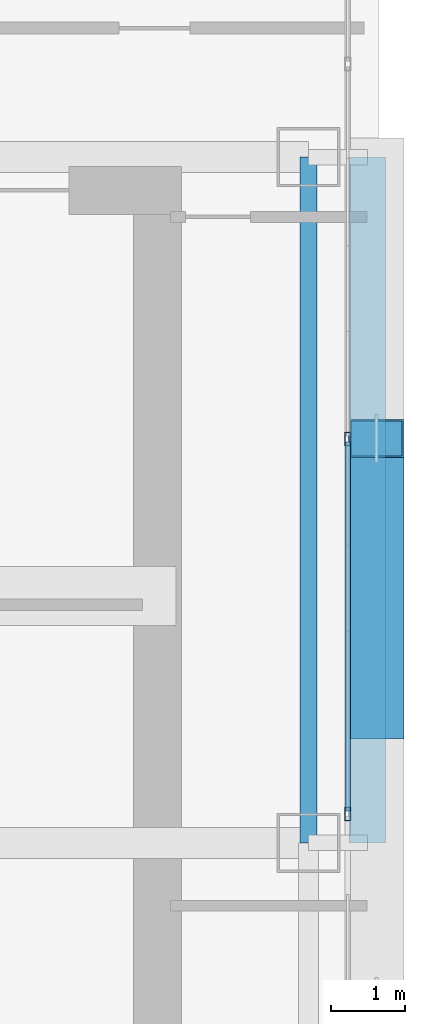
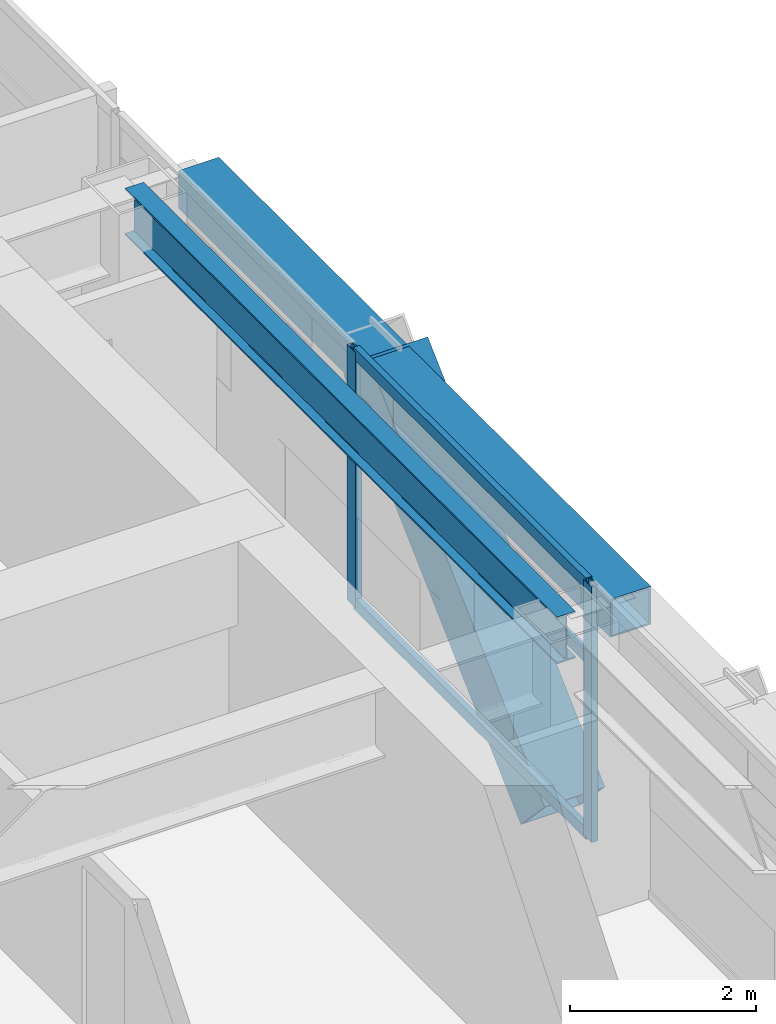
# One storey, part 15 of 36: 6 members, 2 beams, 1 element without a shape of its own.
"""IFC4 building model written with IfcOpenShell, lengths in metres."""

from ifc_helpers import new_model, si_unit, direction, frame, origin, origin_2d, place, context, subcontext, project, spatial, hollow_rectangle, i_section, extrude, source, transform, mapped, material, layer, layer_set, material_profile, profile_set, type_object, element, aggregate, save


model = new_model("IFC4")

# Units and contexts
model_context = context("Model", 3, precision=1e-05, world=origin(), true_north=direction((0.0, 1.0)))
body_context = subcontext(model_context, "Body", "Model", "MODEL_VIEW")
ifc_project = project(units=[si_unit("LENGTHUNIT", "METRE"), si_unit("AREAUNIT", "SQUARE_METRE"), si_unit("VOLUMEUNIT", "CUBIC_METRE"), si_unit("PLANEANGLEUNIT", "RADIAN"), si_unit("MASSUNIT", "GRAM", prefix="KILO")], contexts=[model_context])

# Site, building, storey
site_placement = place(None, origin())
site = spatial("IfcSite", under=ifc_project, at=site_placement, CompositionType="ELEMENT")
building_placement = place(site_placement, origin())
building = spatial("IfcBuilding", under=site, at=building_placement, Name="Ocotamira Hotel", CompositionType="ELEMENT")
storey_placement = place(building_placement, frame((0.0, 0.0, 133.199951171875)))
storey = spatial("IfcBuildingStorey", under=building, at=storey_placement, Name="L33", CompositionType="ELEMENT", Elevation=133.199951171875)

# Beams
ifc_material_1 = material(Name="Steel ASTM A992 Grade 50", Category="steel")
ifc_material_profile_1 = material_profile(ifc_material_1, i_section(OverallWidth=0.22998046875, OverallDepth=0.616943359375, WebThickness=0.01318359375, FlangeThickness=0.022216796875, FilletRadius=0.012939453125, at=origin_2d()), Name="W24X94")
ifc_profile_set_1 = profile_set([ifc_material_profile_1], Name="Steel ASTM A992 Grade 50")
beam_type_1 = type_object("IfcBeamType", Name="BM-PRIM-W24X94", PredefinedType="BEAM", material=ifc_profile_set_1)
shared_shape_1 = source(origin(), body_context, "Body", "SweptSolid", [
    extrude(i_section(OverallWidth=0.22998046875, OverallDepth=0.616943359375, WebThickness=0.01318359375, FlangeThickness=0.022216796875, FilletRadius=0.012939453125, at=origin_2d()), origin(), (0.0, 0.0, 1.0), 9.300048828125),
])
beam_1_placement = place(storey_placement, frame((55.050048828125, 28.14990234375, 3.051513671875), z_axis=(0.0, 1.0, 0.0), x_axis=(-1.0, 0.0, 0.0)))
element("IfcBeam", 1, at=beam_1_placement, inside=storey, type_object=beam_type_1, Name="L33 Beam X55.05 Y28.15-37.45", PredefinedType="BEAM", context=body_context, shape_type="MappedRepresentation", body=[
    mapped(shared_shape_1, transform((0.0, 0.0, 0.0), scale=1.0)),
])
ifc_material_2 = material(Name="Steel ASTM A500 Grade C", Category="steel")
ifc_material_profile_2 = material_profile(ifc_material_2, hollow_rectangle(XDim=0.5, YDim=0.5, WallThickness=0.02001953125, at=origin_2d()), Name="HSS500X500X20")
ifc_profile_set_2 = profile_set([ifc_material_profile_2], Name="Steel ASTM A500 Grade C")
beam_type_2 = type_object("IfcBeamType", Name="BM-SPAN-HSS500", PredefinedType="USERDEFINED", material=ifc_profile_set_2)
shared_shape_2 = source(origin(), body_context, "Body", "SweptSolid", [
    extrude(hollow_rectangle(XDim=0.5, YDim=0.5, WallThickness=0.02001953125, at=origin_2d()), origin(), (0.0, 0.0, 1.0), 9.300048828125),
])
beam_2_placement = place(storey_placement, frame((55.85009765625, 28.14990234375, 3.110107421875), z_axis=(0.0, 1.0, 0.0), x_axis=(-1.0, 0.0, 0.0)))
element("IfcBeam", 2, at=beam_2_placement, inside=storey, type_object=beam_type_2, Name="L33 Edge Spandrel E Y28.15-37.45", ObjectType="SPANDREL", PredefinedType="USERDEFINED", context=body_context, shape_type="MappedRepresentation", body=[
    mapped(shared_shape_2, transform((0.0, 0.0, 0.0), scale=1.0)),
])

# Member
ifc_material_3 = material(Name="Pale-metal coated steel ASTM A913 Grade 65", Category="steel")
ifc_material_profile_3 = material_profile(ifc_material_3, hollow_rectangle(XDim=0.75, YDim=0.75, WallThickness=0.028076171875, at=origin_2d()), Name="BOX750X750X28")
ifc_profile_set_3 = profile_set([ifc_material_profile_3], Name="Pale-metal coated steel ASTM A913 Grade 65")
member_type_1 = type_object("IfcMemberType", Name="MEM-EXO-BOX750", PredefinedType="BRACE", material=ifc_profile_set_3)
shared_shape_3 = source(origin(), body_context, "Body", "SweptSolid", [
    extrude(hollow_rectangle(XDim=0.75, YDim=0.75, WallThickness=0.028076171875, at=origin_2d()), origin(), (0.0, 0.0, 1.0), 5.24658203125),
])
member_1_placement = place(storey_placement, frame((55.969970703125, 29.816650390625, -0.489990234375), z_axis=(0.0, 0.727442733726, 0.686168397078), x_axis=(-1.0, 0.0, 0.0)))
element("IfcMember", 3, at=member_1_placement, inside=storey, type_object=member_type_1, Name="L33 Exoskeleton Diagrid E2.1", PredefinedType="BRACE", context=body_context, shape_type="MappedRepresentation", body=[
    mapped(shared_shape_3, transform((0.0, 0.0, 0.0), scale=1.0)),
])

# Curtain wall, members
ifc_material_4 = material(Name="Anodised pale-metal aluminium and solar glass", Category="aluminium")
ifc_layer = layer(ifc_material_4, 0.179931640625)
ifc_layer_set = layer_set([ifc_layer], Name="Anodised pale-metal aluminium and solar glass")
curtain_wall_type = type_object("IfcCurtainWallType", Name="CW-SYS3-Z2", PredefinedType="NOTDEFINED", material=ifc_layer_set)
curtain_wall_placement = place(storey_placement, origin())
curtain_wall = element("IfcCurtainWall", 4, at=curtain_wall_placement, inside=storey, type_object=curtain_wall_type, Name="L33 Curtain Wall CW-3 CW-L33-E", PredefinedType="NOTDEFINED")
ifc_material_5 = material(Name="Anodised pale-metal aluminium 6063-T6", Category="aluminium")
ifc_material_profile_4 = material_profile(ifc_material_5, hollow_rectangle(XDim=0.074951171875, YDim=0.14990234375, WallThickness=0.006103515625, at=origin_2d()), Name="HSS150X75X6")
ifc_profile_set_4 = profile_set([ifc_material_profile_4], Name="Anodised pale-metal aluminium 6063-T6")
member_type_2 = type_object("IfcMemberType", Name="CWT-150X75", PredefinedType="USERDEFINED", material=ifc_profile_set_4)
shared_shape_4 = source(origin(), body_context, "Body", "SweptSolid", [
    extrude(hollow_rectangle(XDim=0.074951171875, YDim=0.14990234375, WallThickness=0.006103515625, at=origin_2d()), origin(), (0.0, 0.0, 1.0), 5.005859375),
])
member_2_placement = place(storey_placement, frame((55.580078125, 28.582763671875, 0.03759765625), z_axis=(0.0, 1.0, 0.0), x_axis=(-1.0, 0.0, 0.0)))
member_2 = element("IfcMember", 5, at=member_2_placement, type_object=member_type_2, Name="CW-3 transom 5.1", ObjectType="TRANSOM", PredefinedType="USERDEFINED", context=body_context, shape_type="MappedRepresentation", body=[
    mapped(shared_shape_4, transform((0.0, 0.0, 0.0), scale=1.0)),
])
member_3_placement = place(storey_placement, frame((55.580078125, 28.582763671875, 2.35009765625), z_axis=(0.0, 1.0, 0.0), x_axis=(-1.0, 0.0, 0.0)))
member_3 = element("IfcMember", 6, at=member_3_placement, type_object=member_type_2, Name="CW-3 transom 5.2", ObjectType="TRANSOM", PredefinedType="USERDEFINED", context=body_context, shape_type="MappedRepresentation", body=[
    mapped(shared_shape_4, transform((0.0, 0.0, 0.0), scale=1.0)),
])
member_4_placement = place(storey_placement, frame((55.580078125, 28.582763671875, 3.322509765625), z_axis=(0.0, 1.0, 0.0), x_axis=(-1.0, 0.0, 0.0)))
member_4 = element("IfcMember", 7, at=member_4_placement, type_object=member_type_2, Name="CW-3 transom 5.3", ObjectType="TRANSOM", PredefinedType="USERDEFINED", context=body_context, shape_type="MappedRepresentation", body=[
    mapped(shared_shape_4, transform((0.0, 0.0, 0.0), scale=1.0)),
])
ifc_material_profile_5 = material_profile(ifc_material_5, hollow_rectangle(XDim=0.080078125, YDim=0.179931640625, WallThickness=0.006103515625, at=origin_2d()), Name="HSS180X80X6")
ifc_profile_set_5 = profile_set([ifc_material_profile_5], Name="Anodised pale-metal aluminium 6063-T6")
member_type_3 = type_object("IfcMemberType", Name="CWM-180X75", PredefinedType="MULLION", material=ifc_profile_set_5)
shared_shape_5 = source(origin(), body_context, "Body", "SweptSolid", [
    extrude(hollow_rectangle(XDim=0.080078125, YDim=0.179931640625, WallThickness=0.006103515625, at=origin_2d()), origin(), (0.0, 0.0, 1.0), 3.360107421875),
])
member_5_placement = place(storey_placement, frame((55.580078125, 28.54296875, 0.0), z_axis=(0.0, 0.0, 1.0), x_axis=(-1.0, 0.0, 0.0)))
member_5 = element("IfcMember", 8, at=member_5_placement, type_object=member_type_3, Name="CW-3 mullion 5", PredefinedType="MULLION", context=body_context, shape_type="MappedRepresentation", body=[
    mapped(shared_shape_5, transform((0.0, 0.0, 0.0), scale=1.0)),
])
member_6_placement = place(storey_placement, frame((55.580078125, 33.628662109375, 0.0), z_axis=(0.0, 0.0, 1.0), x_axis=(-1.0, 0.0, 0.0)))
member_6 = element("IfcMember", 9, at=member_6_placement, type_object=member_type_3, Name="CW-3 mullion 6", PredefinedType="MULLION", context=body_context, shape_type="MappedRepresentation", body=[
    mapped(shared_shape_5, transform((0.0, 0.0, 0.0), scale=1.0)),
])
aggregate(curtain_wall, [member_5, member_6, member_2, member_3, member_4])

save(model, "model.ifc")
